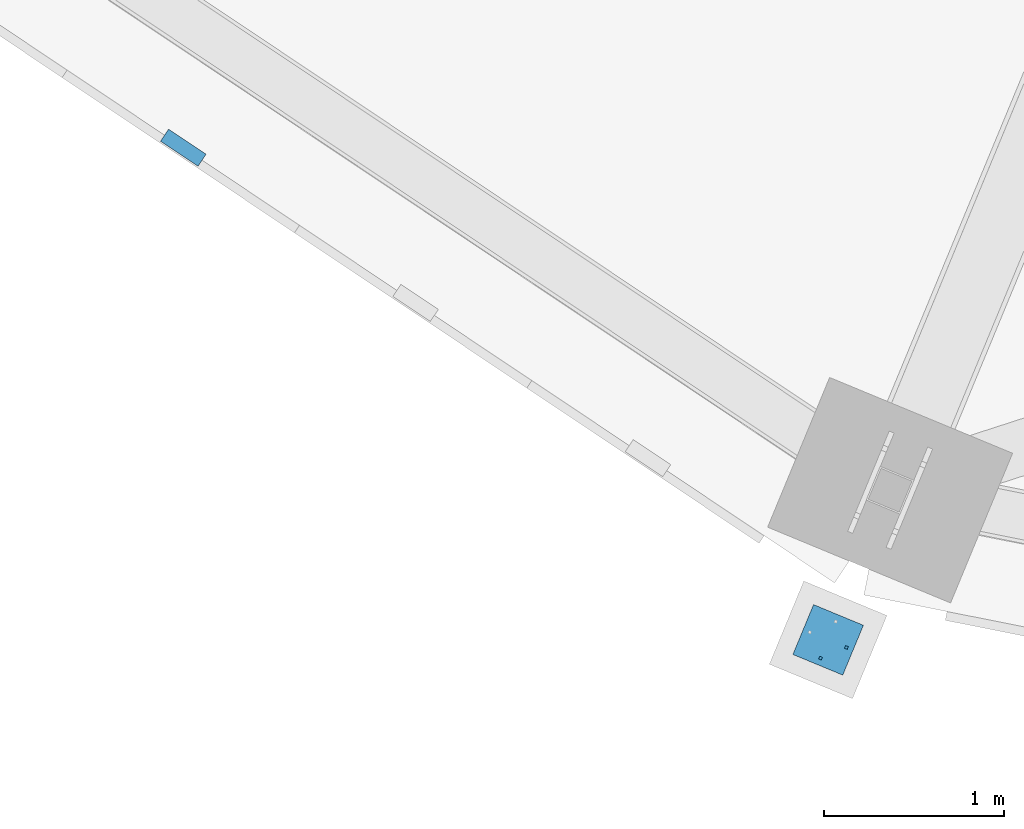
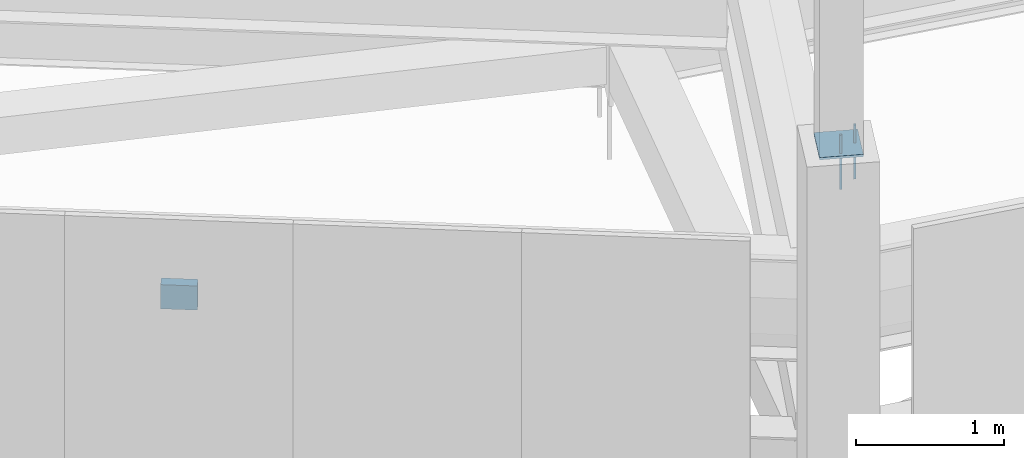
# One storey, part 109 of 278: 2 discrete accessories, 2 mechanical fasteners.
"""IFC4 building model written with IfcOpenShell, lengths in metres."""

from ifc_helpers import new_model, si_unit, direction, frame, origin, origin_2d, place, context, subcontext, project, spatial, rectangle, extrude, material, layer, layer_set, type_object, element, save


model = new_model("IFC4")

# Units and contexts
model_context = context("Model", 3, precision=1e-05, world=origin(), true_north=direction((0.0, 1.0)))
body_context = subcontext(model_context, "Body", "Model", "MODEL_VIEW")
ifc_project = project(units=[si_unit("LENGTHUNIT", "METRE"), si_unit("AREAUNIT", "SQUARE_METRE"), si_unit("VOLUMEUNIT", "CUBIC_METRE"), si_unit("PLANEANGLEUNIT", "RADIAN"), si_unit("MASSUNIT", "GRAM", prefix="KILO")], contexts=[model_context])

# Site, building, storey
site_placement = place(None, origin())
site = spatial("IfcSite", under=ifc_project, at=site_placement, CompositionType="ELEMENT")
building_placement = place(site_placement, origin())
building = spatial("IfcBuilding", under=site, at=building_placement, Name="Ogive Plaza Stadium", CompositionType="ELEMENT")
storey_placement = place(building_placement, frame((0.0, 0.0, 29.0)))
storey = spatial("IfcBuildingStorey", under=building, at=storey_placement, Name="Roof", CompositionType="ELEMENT", Elevation=29.0)

# Mechanical fasteners
ifc_material_1 = material(Name="Steel ASTM A992 Grade 50", Category="steel")
mechanical_fastener_type = type_object("IfcMechanicalFastenerType", Name="Spire anchor bolt M16 x 450", PredefinedType="ANCHORBOLT", material=ifc_material_1)
for number, where, z_axis, x_axis, name in (
    (1, (-53.520751953125, -99.627197265625, 6.7001953125), (0.0, 0.0, 1.0), (-0.382683432365, -0.923879532511, 0.0), "SPIRE ANCHOR BOLT 18 1"),
    (2, (-53.376953125, -99.567626953125, 6.7001953125), (0.0, 0.0, 1.0), (-0.382683432365, -0.923879532511, 0.0), "SPIRE ANCHOR BOLT 18 3"),
):
    element("IfcMechanicalFastener", number, at=place(storey_placement, frame(where, z_axis=z_axis, x_axis=x_axis)), inside=storey, type_object=mechanical_fastener_type, Name=name, PredefinedType="ANCHORBOLT", context=body_context, shape_type="SweptSolid", body=[
        extrude(rectangle(XDim=0.01611328125, YDim=0.01611328125, at=origin_2d()), origin(), (0.0, 0.0, 1.0), 0.449951171875),
    ])

# Discrete accessories
ifc_material_2 = material(Name="Steel ASTM A992 Grade 50", Category="steel")
ifc_layer_1 = layer(ifc_material_2, 0.02001953125)
ifc_layer_set_1 = layer_set([ifc_layer_1], Name="Steel ASTM A992 Grade 50")
discrete_accessory_type_1 = type_object("IfcDiscreteAccessoryType", Name="Spire seat plate 20", PredefinedType="ANCHORPLATE", material=ifc_layer_set_1)
discrete_accessory_1_placement = place(storey_placement, frame((-53.478515625, -99.525390625, 6.98095703125), z_axis=(0.0, 0.0, 1.0), x_axis=(-0.382683432365, -0.923879532511, 0.0)))
element("IfcDiscreteAccessory", 3, at=discrete_accessory_1_placement, inside=storey, type_object=discrete_accessory_type_1, Name="SPIRE SEAT PLATE 18", PredefinedType="ANCHORPLATE", context=body_context, shape_type="SweptSolid", body=[
    extrude(rectangle(XDim=0.300048828125, YDim=0.300048828125, at=origin_2d()), origin(), (0.0, 0.0, 1.0), 0.02001953125),
])
ifc_material_3 = material(Name="Steel ASTM A572 Grade 50", Category="steel")
ifc_layer_2 = layer(ifc_material_3, 0.080078125)
ifc_layer_set_2 = layer_set([ifc_layer_2], Name="Steel ASTM A572 Grade 50")
discrete_accessory_type_2 = type_object("IfcDiscreteAccessoryType", Name="Tracery screen bracket 250x200", PredefinedType="BRACKET", material=ifc_layer_set_2)
discrete_accessory_2_placement = place(storey_placement, frame((-57.060791015625, -96.791259765625, 5.25), z_axis=(0.0, 0.0, 1.0), x_axis=(-0.831469612303, 0.55557023302, 0.0)))
element("IfcDiscreteAccessory", 4, at=discrete_accessory_2_placement, inside=storey, type_object=discrete_accessory_type_2, Name="TRACERY SCREEN BRACKET B18 3", PredefinedType="BRACKET", context=body_context, shape_type="SweptSolid", body=[
    extrude(rectangle(XDim=0.25, YDim=0.080078125, at=origin_2d()), origin(), (0.0, 0.0, 1.0), 0.199951171875),
])

save(model, "model.ifc")
